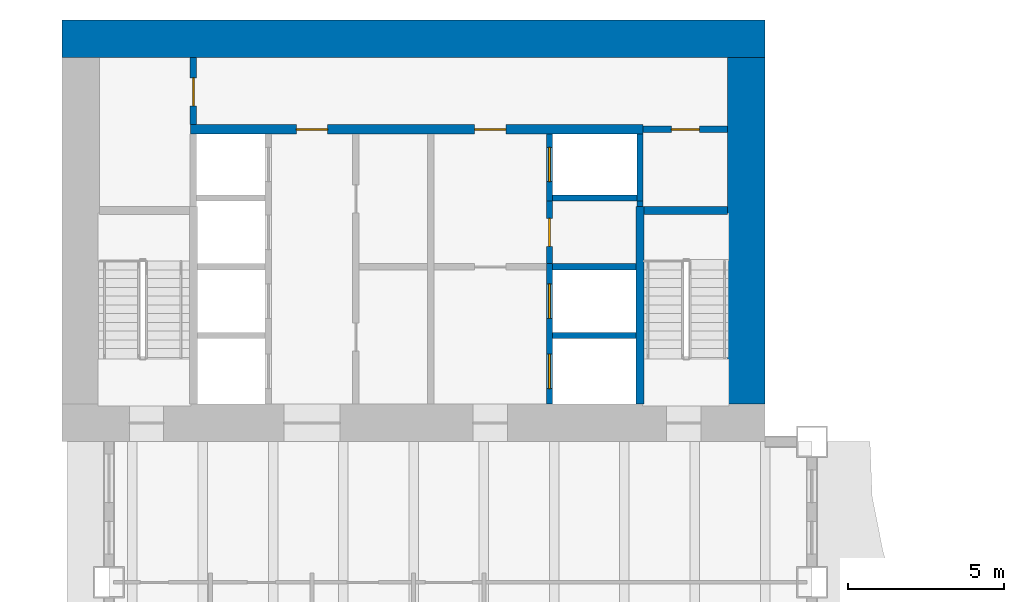
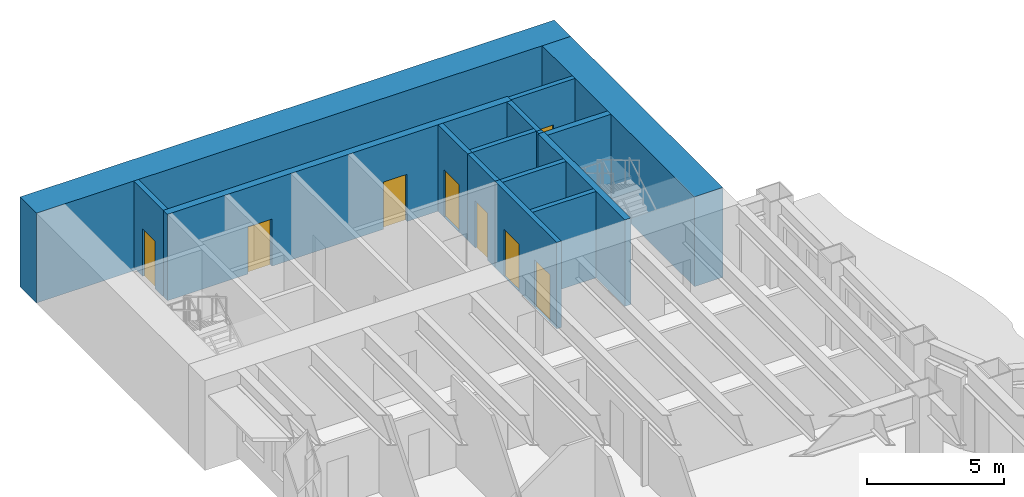
# One storey, part 9 of 16: 15 walls, 8 doors, 8 openings.
"""IFC4 building model written with IfcOpenShell, lengths in metres."""

from ifc_helpers import new_model, si_unit, direction, frame, frame_2d, origin, place, context, subcontext, project, spatial, rectangle, extrude, material, layer, layer_set, type_object, element, fill, save


model = new_model("IFC4")

# Units and contexts
model_context = context("Model", 3, precision=1e-05, world=origin(), true_north=direction((0.0, 1.0)))
body_context = subcontext(model_context, "Body", "Model", "MODEL_VIEW")
ifc_project = project(units=[si_unit("LENGTHUNIT", "METRE"), si_unit("AREAUNIT", "SQUARE_METRE"), si_unit("VOLUMEUNIT", "CUBIC_METRE"), si_unit("PLANEANGLEUNIT", "RADIAN"), si_unit("MASSUNIT", "GRAM", prefix="KILO")], contexts=[model_context])

# Site, building, storey
site_placement = place(None, origin())
site = spatial("IfcSite", under=ifc_project, at=site_placement, CompositionType="ELEMENT")
building_placement = place(site_placement, origin())
building = spatial("IfcBuilding", under=site, at=building_placement, Name="Sennacour Bend Tower", CompositionType="ELEMENT")
storey_placement = place(building_placement, frame((0.0, 0.0, 83.0)))
storey = spatial("IfcBuildingStorey", under=building, at=storey_placement, Name="L18", CompositionType="ELEMENT", Elevation=83.0)

# Walls
ifc_material_1 = material(Name="Concrete C80/95", Category="concrete")
ifc_layer_1 = layer(ifc_material_1, 1.199951171875, Name="Concrete C80/95", Category="concrete")
ifc_layer_set_1 = layer_set([ifc_layer_1], Name="Concrete C80/95")
wall_type_1 = type_object("IfcWallType", Name="Core wall 1200 C80/95", PredefinedType="SHEAR", material=ifc_layer_set_1)
wall_1_placement = place(storey_placement, frame((0.0, 48.89990234375, -0.14990234375), z_axis=(0.0, 0.0, 1.0), x_axis=(1.0, 0.0, 0.0)))
element("IfcWall", 1, at=wall_1_placement, inside=storey, type_object=wall_type_1, Name="Core B wall L18 N", PredefinedType="SHEAR", context=body_context, shape_type="SweptSolid", body=[
    extrude(rectangle(XDim=22.5, YDim=1.199951171875, at=frame_2d((11.25, 0.0))), origin(), (0.0, 0.0, 1.0), 4.0),
])
wall_2_placement = place(storey_placement, frame((21.89990234375, 37.199951171875, -0.14990234375), z_axis=(0.0, 0.0, 1.0), x_axis=(0.0, 1.0, 0.0)))
element("IfcWall", 2, at=wall_2_placement, inside=storey, type_object=wall_type_1, Name="Core B wall L18 E", PredefinedType="SHEAR", context=body_context, shape_type="SweptSolid", body=[
    extrude(rectangle(XDim=11.10009765625, YDim=1.199951171875, at=frame_2d((5.550048828125, 0.0))), origin(), (0.0, 0.0, 1.0), 4.0),
])

# Wall, opening, door
ifc_material_2 = material(Name="Fire-rated plasterboard partition on steel studs", Category="steel")
ifc_layer_2 = layer(ifc_material_2, 0.199951171875, Name="Fire-rated plasterboard partition on steel studs", Category="steel")
ifc_layer_set_2 = layer_set([ifc_layer_2], Name="Fire-rated plasterboard partition on steel studs")
wall_type_2 = type_object("IfcWallType", Name="Rated partition 200", PredefinedType="PARTITIONING", material=ifc_layer_set_2)
wall_3_placement = place(storey_placement, frame((4.199951171875, 46.14990234375, 0.0), z_axis=(0.0, 0.0, 1.0), x_axis=(0.0, 1.0, 0.0)))
wall_3 = element("IfcWall", 3, at=wall_3_placement, inside=storey, type_object=wall_type_2, Name="P-L18-W006", PredefinedType="PARTITIONING", context=body_context, shape_type="SweptSolid", body=[
    extrude(rectangle(XDim=2.150146484375, YDim=0.199951171875, at=frame_2d((1.0751953125, 0.0))), origin(), (0.0, 0.0, 1.0), 3.85009765625),
])
opening_1_placement = place(wall_3_placement, frame((0.60009765625, 0.0, 0.0)))
opening_1 = element("IfcOpeningElement", 4, at=opening_1_placement, cuts=wall_3, Name="Opening SV", PredefinedType="OPENING", context=body_context, shape_type="SweptSolid", body=[
    extrude(rectangle(XDim=0.89990234375, YDim=2.10009765625, at=frame_2d((0.449951171875, 1.050048828125))), frame((0.0, 0.10986328125, 0.0), z_axis=(0.0, -1.0, 0.0), x_axis=(1.0, 0.0, 0.0)), (0.0, 0.0, 1.0), 0.219970703125),
])
ifc_material_3 = material(Name="Painted steel", Category="steel")
door_type_1 = type_object("IfcDoorType", Name="DR-SERVICE-900", OperationType="NOTDEFINED", PredefinedType="DOOR", material=ifc_material_3)
door_1_placement = place(opening_1_placement, origin())
door_1 = element("IfcDoor", 5, at=door_1_placement, inside=storey, type_object=door_type_1, Name="Door", OperationType="SINGLE_SWING_LEFT", OverallHeight=2.10009765625, OverallWidth=0.89990234375, PredefinedType="DOOR", context=body_context, shape_type="SweptSolid", body=[
    extrude(rectangle(XDim=0.89990234375, YDim=2.10009765625, at=frame_2d((0.449951171875, 1.050048828125))), frame((0.0, 0.02490234375, 0.0), z_axis=(0.0, -1.0, 0.0), x_axis=(1.0, 0.0, 0.0)), (0.0, 0.0, 1.0), 0.050048828125),
])
fill(opening_1, door_1)

wall_4_placement = place(storey_placement, frame((15.60009765625, 41.699951171875, 0.0), z_axis=(0.0, 0.0, 1.0), x_axis=(0.0, 1.0, 0.0)))
wall_4 = element("IfcWall", 6, at=wall_4_placement, inside=storey, type_object=wall_type_2, Name="P-L18-W018", PredefinedType="PARTITIONING", context=body_context, shape_type="SweptSolid", body=[
    extrude(rectangle(XDim=2.0, YDim=0.199951171875, at=frame_2d((1.0, 0.0))), origin(), (0.0, 0.0, 1.0), 3.85009765625),
])
opening_2_placement = place(wall_4_placement, frame((0.550048828125, 0.0, 0.0)))
opening_2 = element("IfcOpeningElement", 7, at=opening_2_placement, cuts=wall_4, Name="Opening SV", PredefinedType="OPENING", context=body_context, shape_type="SweptSolid", body=[
    extrude(rectangle(XDim=0.89990234375, YDim=2.10009765625, at=frame_2d((0.449951171875, 1.050048828125))), frame((0.0, 0.10986328125, 0.0), z_axis=(0.0, -1.0, 0.0), x_axis=(1.0, 0.0, 0.0)), (0.0, 0.0, 1.0), 0.219970703125),
])
door_2_placement = place(opening_2_placement, origin())
door_2 = element("IfcDoor", 8, at=door_2_placement, inside=storey, type_object=door_type_1, Name="Door", OperationType="SINGLE_SWING_RIGHT", OverallHeight=2.10009765625, OverallWidth=0.89990234375, PredefinedType="DOOR", context=body_context, shape_type="SweptSolid", body=[
    extrude(rectangle(XDim=0.89990234375, YDim=2.10009765625, at=frame_2d((0.449951171875, 1.050048828125))), frame((0.0, 0.02490234375, 0.0), z_axis=(0.0, -1.0, 0.0), x_axis=(1.0, 0.0, 0.0)), (0.0, 0.0, 1.0), 0.050048828125),
])
fill(opening_2, door_2)

# Wall
wall_5_placement = place(storey_placement, frame((18.5, 43.52490234375, 0.0), z_axis=(0.0, 0.0, 1.0), x_axis=(0.0, 1.0, 0.0)))
element("IfcWall", 9, at=wall_5_placement, inside=storey, type_object=wall_type_2, Name="P-L18-W022", PredefinedType="PARTITIONING", context=body_context, shape_type="SweptSolid", body=[
    extrude(rectangle(XDim=0.175048828125, YDim=0.199951171875, at=frame_2d((0.08740234375, 0.0))), origin(), (0.0, 0.0, 1.0), 3.85009765625),
])

# Wall, opening, door
wall_6_placement = place(storey_placement, frame((18.60009765625, 46.0, 0.0), z_axis=(0.0, 0.0, 1.0), x_axis=(1.0, 0.0, 0.0)))
wall_6 = element("IfcWall", 10, at=wall_6_placement, inside=storey, type_object=wall_type_2, Name="P-L18-W084", PredefinedType="PARTITIONING", context=body_context, shape_type="SweptSolid", body=[
    extrude(rectangle(XDim=2.699951171875, YDim=0.199951171875, at=frame_2d((1.35009765625, 0.0))), origin(), (0.0, 0.0, 1.0), 3.85009765625),
])
opening_3_placement = place(wall_6_placement, frame((0.89990234375, 0.0, 0.0)))
opening_3 = element("IfcOpeningElement", 11, at=opening_3_placement, cuts=wall_6, Name="Opening SV", PredefinedType="OPENING", context=body_context, shape_type="SweptSolid", body=[
    extrude(rectangle(XDim=0.89990234375, YDim=2.10009765625, at=frame_2d((0.449951171875, 1.050048828125))), frame((0.0, 0.10986328125, 0.0), z_axis=(0.0, -1.0, 0.0), x_axis=(1.0, 0.0, 0.0)), (0.0, 0.0, 1.0), 0.219970703125),
])
door_3_placement = place(opening_3_placement, origin())
door_3 = element("IfcDoor", 12, at=door_3_placement, inside=storey, type_object=door_type_1, Name="Door", OperationType="SINGLE_SWING_LEFT", OverallHeight=2.10009765625, OverallWidth=0.89990234375, PredefinedType="DOOR", context=body_context, shape_type="SweptSolid", body=[
    extrude(rectangle(XDim=0.89990234375, YDim=2.10009765625, at=frame_2d((0.449951171875, 1.050048828125))), frame((0.0, 0.02490234375, 0.0), z_axis=(0.0, -1.0, 0.0), x_axis=(1.0, 0.0, 0.0)), (0.0, 0.0, 1.0), 0.050048828125),
])
fill(opening_3, door_3)

# Wall, openings, doors
ifc_material_4 = material(Name="Concrete C50/60", Category="concrete")
ifc_layer_3 = layer(ifc_material_4, 0.199951171875, Name="Concrete C50/60", Category="concrete")
ifc_layer_set_3 = layer_set([ifc_layer_3], Name="Concrete C50/60")
wall_type_3 = type_object("IfcWallType", Name="Shaft wall 200", PredefinedType="SOLIDWALL", material=ifc_layer_set_3)
wall_7_placement = place(storey_placement, frame((15.60009765625, 37.199951171875, 0.0), z_axis=(0.0, 0.0, 1.0), x_axis=(0.0, 1.0, 0.0)))
wall_7 = element("IfcWall", 13, at=wall_7_placement, inside=storey, type_object=wall_type_3, Name="P-L18-W017", PredefinedType="SOLIDWALL", context=body_context, shape_type="SweptSolid", body=[
    extrude(rectangle(XDim=4.5, YDim=0.199951171875, at=frame_2d((2.25, 0.0))), origin(), (0.0, 0.0, 1.0), 3.85009765625),
])
opening_4_placement = place(wall_7_placement, frame((0.5, 0.0, 0.011962890625)))
opening_4 = element("IfcOpeningElement", 14, at=opening_4_placement, cuts=wall_7, Name="Opening FLD", PredefinedType="OPENING", context=body_context, shape_type="SweptSolid", body=[
    extrude(rectangle(XDim=1.10009765625, YDim=2.10009765625, at=frame_2d((0.550048828125, 1.050048828125))), frame((0.0, 0.10986328125, 0.0), z_axis=(0.0, -1.0, 0.0), x_axis=(1.0, 0.0, 0.0)), (0.0, 0.0, 1.0), 0.219970703125),
])
opening_5_placement = place(wall_7_placement, frame((2.75, 0.0, 0.011962890625)))
opening_5 = element("IfcOpeningElement", 15, at=opening_5_placement, cuts=wall_7, Name="Opening FLD", PredefinedType="OPENING", context=body_context, shape_type="SweptSolid", body=[
    extrude(rectangle(XDim=1.10009765625, YDim=2.10009765625, at=frame_2d((0.550048828125, 1.050048828125))), frame((0.0, 0.10986328125, 0.0), z_axis=(0.0, -1.0, 0.0), x_axis=(1.0, 0.0, 0.0)), (0.0, 0.0, 1.0), 0.219970703125),
])
ifc_material_5 = material(Name="Stainless steel", Category="steel")
door_type_2 = type_object("IfcDoorType", Name="DR-FF-LANDING-1100", OperationType="NOTDEFINED", PredefinedType="DOOR", material=ifc_material_5)
door_4_placement = place(opening_4_placement, origin())
door_4 = element("IfcDoor", 16, at=door_4_placement, inside=storey, type_object=door_type_2, Name="Fire service lift landing door FB1", OperationType="SLIDING_TO_RIGHT", OverallHeight=2.10009765625, OverallWidth=1.10009765625, PredefinedType="DOOR", context=body_context, shape_type="SweptSolid", body=[
    extrude(rectangle(XDim=1.10009765625, YDim=2.10009765625, at=frame_2d((0.550048828125, 1.050048828125))), frame((0.0, 0.02490234375, 0.0), z_axis=(0.0, -1.0, 0.0), x_axis=(1.0, 0.0, 0.0)), (0.0, 0.0, 1.0), 0.050048828125),
])
fill(opening_4, door_4)
door_5_placement = place(opening_5_placement, origin())
door_5 = element("IfcDoor", 17, at=door_5_placement, inside=storey, type_object=door_type_2, Name="Fire service lift landing door FB2", OperationType="SLIDING_TO_LEFT", OverallHeight=2.10009765625, OverallWidth=1.10009765625, PredefinedType="DOOR", context=body_context, shape_type="SweptSolid", body=[
    extrude(rectangle(XDim=1.10009765625, YDim=2.10009765625, at=frame_2d((0.550048828125, 1.050048828125))), frame((0.0, 0.02490234375, 0.0), z_axis=(0.0, -1.0, 0.0), x_axis=(1.0, 0.0, 0.0)), (0.0, 0.0, 1.0), 0.050048828125),
])
fill(opening_5, door_5)

# Wall, opening, door
wall_8_placement = place(storey_placement, frame((15.60009765625, 43.699951171875, 0.0), z_axis=(0.0, 0.0, 1.0), x_axis=(0.0, 1.0, 0.0)))
wall_8 = element("IfcWall", 18, at=wall_8_placement, inside=storey, type_object=wall_type_3, Name="P-L18-W019", PredefinedType="SOLIDWALL", context=body_context, shape_type="SweptSolid", body=[
    extrude(rectangle(XDim=2.150146484375, YDim=0.199951171875, at=frame_2d((1.0751953125, 0.0))), origin(), (0.0, 0.0, 1.0), 3.85009765625),
])
opening_6_placement = place(wall_8_placement, frame((0.625, 0.0, 0.011962890625)))
opening_6 = element("IfcOpeningElement", 19, at=opening_6_placement, cuts=wall_8, Name="Opening LD", PredefinedType="OPENING", context=body_context, shape_type="SweptSolid", body=[
    extrude(rectangle(XDim=1.10009765625, YDim=2.10009765625, at=frame_2d((0.550048828125, 1.050048828125))), frame((0.0, 0.10986328125, 0.0), z_axis=(0.0, -1.0, 0.0), x_axis=(1.0, 0.0, 0.0)), (0.0, 0.0, 1.0), 0.219970703125),
])
door_type_3 = type_object("IfcDoorType", Name="DR-LANDING-1100", OperationType="NOTDEFINED", PredefinedType="DOOR", material=ifc_material_5)
door_6_placement = place(opening_6_placement, origin())
door_6 = element("IfcDoor", 20, at=door_6_placement, inside=storey, type_object=door_type_3, Name="Lift landing door LB5", OperationType="SLIDING_TO_RIGHT", OverallHeight=2.10009765625, OverallWidth=1.10009765625, PredefinedType="DOOR", context=body_context, shape_type="SweptSolid", body=[
    extrude(rectangle(XDim=1.10009765625, YDim=2.10009765625, at=frame_2d((0.550048828125, 1.050048828125))), frame((0.0, 0.02490234375, 0.0), z_axis=(0.0, -1.0, 0.0), x_axis=(1.0, 0.0, 0.0)), (0.0, 0.0, 1.0), 0.050048828125),
])
fill(opening_6, door_6)

# Walls
wall_9_placement = place(storey_placement, frame((18.5, 43.699951171875, 0.0), z_axis=(0.0, 0.0, 1.0), x_axis=(0.0, 1.0, 0.0)))
element("IfcWall", 21, at=wall_9_placement, inside=storey, type_object=wall_type_3, Name="P-L18-W023", PredefinedType="SOLIDWALL", context=body_context, shape_type="SweptSolid", body=[
    extrude(rectangle(XDim=2.150146484375, YDim=0.199951171875, at=frame_2d((1.0751953125, 0.0))), origin(), (0.0, 0.0, 1.0), 3.85009765625),
])
for number, where, z_axis, x_axis, name in (
    (22, (15.699951171875, 39.39990234375, 0.0), (0.0, 0.0, 1.0), (1.0, 0.0, 0.0), "P-L18-W075"),
    (23, (15.699951171875, 41.60009765625, 0.0), (0.0, 0.0, 1.0), (1.0, 0.0, 0.0), "P-L18-W078"),
):
    element("IfcWall", number, at=place(storey_placement, frame(where, z_axis=z_axis, x_axis=x_axis)), inside=storey, type_object=wall_type_3, Name=name, PredefinedType="SOLIDWALL", context=body_context, shape_type="SweptSolid", body=[
        extrude(rectangle(XDim=2.675048828125, YDim=0.199951171875, at=frame_2d((1.33740234375, 0.0))), origin(), (0.0, 0.0, 1.0), 3.85009765625),
    ])
wall_10_placement = place(storey_placement, frame((15.699951171875, 43.800048828125, 0.0), z_axis=(0.0, 0.0, 1.0), x_axis=(1.0, 0.0, 0.0)))
element("IfcWall", 24, at=wall_10_placement, inside=storey, type_object=wall_type_3, Name="P-L18-W082", PredefinedType="SOLIDWALL", context=body_context, shape_type="SweptSolid", body=[
    extrude(rectangle(XDim=2.699951171875, YDim=0.199951171875, at=frame_2d((1.35009765625, 0.0))), origin(), (0.0, 0.0, 1.0), 3.85009765625),
])

# Wall, openings, doors
ifc_material_6 = material(Name="Concrete C60/75", Category="concrete")
ifc_layer_4 = layer(ifc_material_6, 0.300048828125, Name="Concrete C60/75", Category="concrete")
ifc_layer_set_4 = layer_set([ifc_layer_4], Name="Concrete C60/75")
wall_type_4 = type_object("IfcWallType", Name="Spine wall 300", PredefinedType="SHEAR", material=ifc_layer_set_4)
wall_11_placement = place(storey_placement, frame((4.10009765625, 46.0, 0.0), z_axis=(0.0, 0.0, 1.0), x_axis=(1.0, 0.0, 0.0)))
wall_11 = element("IfcWall", 25, at=wall_11_placement, inside=storey, type_object=wall_type_4, Name="P-L18-W083", PredefinedType="SHEAR", context=body_context, shape_type="SweptSolid", body=[
    extrude(rectangle(XDim=14.5, YDim=0.300048828125, at=frame_2d((7.25, 0.0))), origin(), (0.0, 0.0, 1.0), 3.85009765625),
])
opening_7_placement = place(wall_11_placement, frame((3.39990234375, 0.0, 0.0)))
opening_7 = element("IfcOpeningElement", 26, at=opening_7_placement, cuts=wall_11, Name="Opening CD2", PredefinedType="OPENING", context=body_context, shape_type="SweptSolid", body=[
    extrude(rectangle(XDim=1.0, YDim=2.10009765625, at=frame_2d((0.5, 1.050048828125))), frame((0.0, 0.16015625, 0.0), z_axis=(0.0, -1.0, 0.0), x_axis=(1.0, 0.0, 0.0)), (0.0, 0.0, 1.0), 0.320068359375),
])
opening_8_placement = place(wall_11_placement, frame((9.099853515625, 0.0, 0.0)))
opening_8 = element("IfcOpeningElement", 27, at=opening_8_placement, cuts=wall_11, Name="Opening CD2", PredefinedType="OPENING", context=body_context, shape_type="SweptSolid", body=[
    extrude(rectangle(XDim=1.0, YDim=2.10009765625, at=frame_2d((0.5, 1.050048828125))), frame((0.0, 0.16015625, 0.0), z_axis=(0.0, -1.0, 0.0), x_axis=(1.0, 0.0, 0.0)), (0.0, 0.0, 1.0), 0.320068359375),
])
door_type_4 = type_object("IfcDoorType", Name="DR-LOBBY-1000", OperationType="NOTDEFINED", PredefinedType="DOOR", material=ifc_material_3)
door_7_placement = place(opening_7_placement, origin())
door_7 = element("IfcDoor", 28, at=door_7_placement, inside=storey, type_object=door_type_4, Name="Door", OperationType="SINGLE_SWING_LEFT", OverallHeight=2.10009765625, OverallWidth=1.0, PredefinedType="DOOR", context=body_context, shape_type="SweptSolid", body=[
    extrude(rectangle(XDim=1.0, YDim=2.10009765625, at=frame_2d((0.5, 1.050048828125))), frame((0.0, 0.02490234375, 0.0), z_axis=(0.0, -1.0, 0.0), x_axis=(1.0, 0.0, 0.0)), (0.0, 0.0, 1.0), 0.050048828125),
])
fill(opening_7, door_7)
door_8_placement = place(opening_8_placement, origin())
door_8 = element("IfcDoor", 29, at=door_8_placement, inside=storey, type_object=door_type_4, Name="Door", OperationType="SINGLE_SWING_RIGHT", OverallHeight=2.10009765625, OverallWidth=1.0, PredefinedType="DOOR", context=body_context, shape_type="SweptSolid", body=[
    extrude(rectangle(XDim=1.0, YDim=2.10009765625, at=frame_2d((0.5, 1.050048828125))), frame((0.0, 0.02490234375, 0.0), z_axis=(0.0, -1.0, 0.0), x_axis=(1.0, 0.0, 0.0)), (0.0, 0.0, 1.0), 0.050048828125),
])
fill(opening_8, door_8)

# Walls
ifc_layer_5 = layer(ifc_material_6, 0.25, Name="Concrete C60/75", Category="concrete")
ifc_layer_set_5 = layer_set([ifc_layer_5], Name="Concrete C60/75")
wall_type_5 = type_object("IfcWallType", Name="Stair wall 250", PredefinedType="SHEAR", material=ifc_layer_set_5)
wall_12_placement = place(storey_placement, frame((18.5, 37.199951171875, 0.0), z_axis=(0.0, 0.0, 1.0), x_axis=(0.0, 1.0, 0.0)))
element("IfcWall", 30, at=wall_12_placement, inside=storey, type_object=wall_type_5, Name="P-L18-W021", PredefinedType="SHEAR", context=body_context, shape_type="SweptSolid", body=[
    extrude(rectangle(XDim=6.324951171875, YDim=0.25, at=frame_2d((3.16259765625, 0.0))), origin(), (0.0, 0.0, 1.0), 3.85009765625),
])
wall_13_placement = place(storey_placement, frame((18.625, 43.39990234375, 0.0), z_axis=(0.0, 0.0, 1.0), x_axis=(1.0, 0.0, 0.0)))
element("IfcWall", 31, at=wall_13_placement, inside=storey, type_object=wall_type_5, Name="P-L18-W080", PredefinedType="SHEAR", context=body_context, shape_type="SweptSolid", body=[
    extrude(rectangle(XDim=2.675048828125, YDim=0.25, at=frame_2d((1.33740234375, 0.0))), origin(), (0.0, 0.0, 1.0), 3.85009765625),
])

save(model, "model.ifc")
